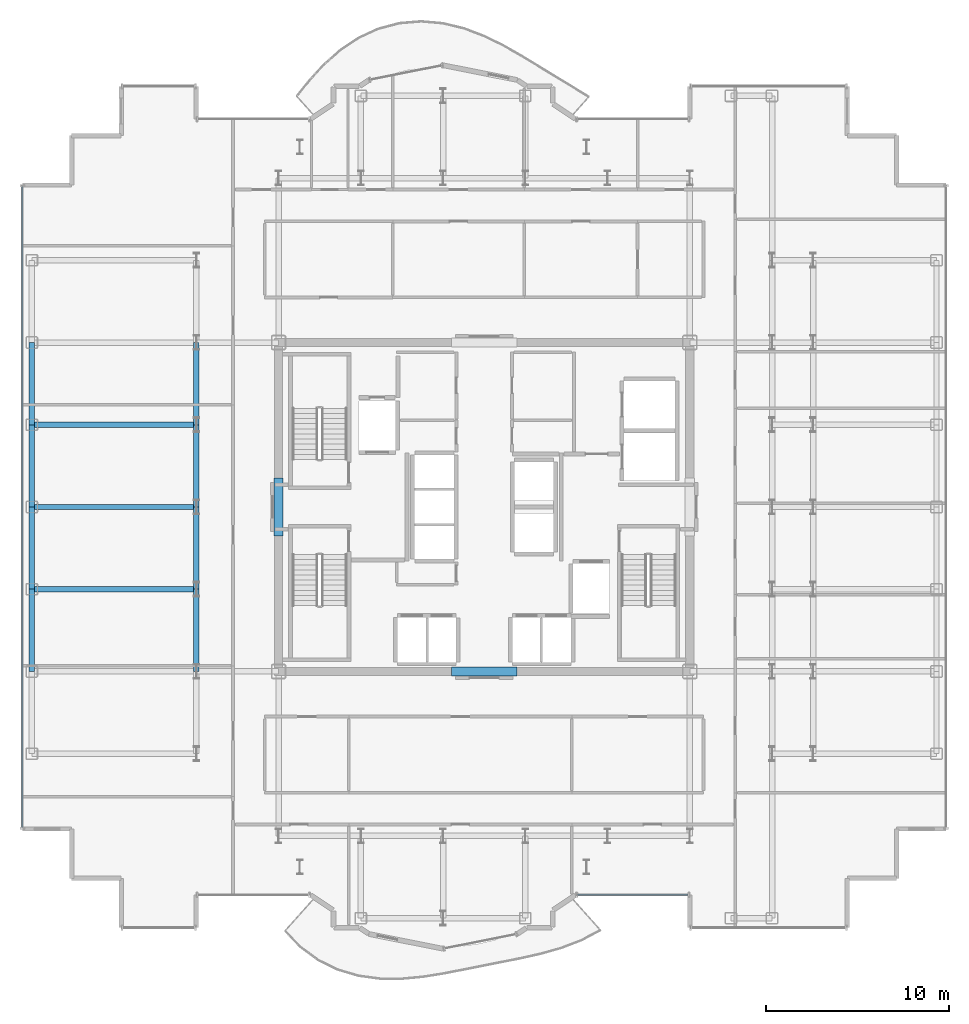
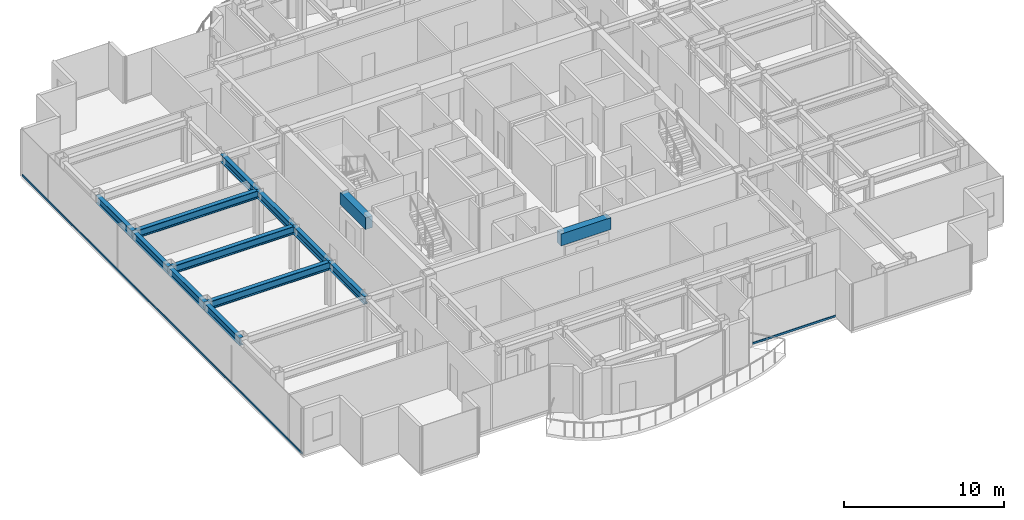
# One storey, part 4 of 21: 13 beams, 2 members, 2 elements without a shape of their own.
"""IFC4 building model written with IfcOpenShell, lengths in metres."""

from ifc_helpers import new_model, si_unit, direction, frame, origin, origin_2d, place, context, subcontext, project, spatial, rectangle, hollow_rectangle, i_section, extrude, source, transform, mapped, material, layer, layer_set, material_profile, profile_set, type_object, element, aggregate, save


model = new_model("IFC4")

# Units and contexts
model_context = context("Model", 3, precision=1e-05, world=origin(), true_north=direction((0.0, 1.0)))
body_context = subcontext(model_context, "Body", "Model", "MODEL_VIEW")
ifc_project = project(units=[si_unit("LENGTHUNIT", "METRE"), si_unit("AREAUNIT", "SQUARE_METRE"), si_unit("VOLUMEUNIT", "CUBIC_METRE"), si_unit("PLANEANGLEUNIT", "RADIAN"), si_unit("MASSUNIT", "GRAM", prefix="KILO")], contexts=[model_context])

# Site, building, storey
site_placement = place(None, origin())
site = spatial("IfcSite", under=ifc_project, at=site_placement, CompositionType="ELEMENT")
building_placement = place(site_placement, origin())
building = spatial("IfcBuilding", under=site, at=building_placement, Name="Nefas-Gora Pilgrimage Tower", CompositionType="ELEMENT")
storey_placement = place(building_placement, frame((0.0, 0.0, 248.39990234375)))
storey = spatial("IfcBuildingStorey", under=building, at=storey_placement, Name="L62", CompositionType="ELEMENT", Elevation=248.39990234375)

# Beams
ifc_material_1 = material(Name="Concrete C50/60", Category="concrete")
ifc_material_profile_1 = material_profile(ifc_material_1, rectangle(XDim=0.5, YDim=0.89990234375, at=origin_2d()), Name="RC 500x900")
ifc_profile_set_1 = profile_set([ifc_material_profile_1], Name="Concrete C50/60")
beam_type_1 = type_object("IfcBeamType", Name="BM-LIN-RC900", PredefinedType="LINTEL", material=ifc_profile_set_1)
shared_shape_1 = source(origin(), body_context, "Body", "SweptSolid", [
    extrude(rectangle(XDim=0.5, YDim=0.89990234375, at=origin_2d()), origin(), (0.0, 0.0, 1.0), 3.60009765625),
])
beam_1_placement = place(storey_placement, frame((-1.800048828125, -9.0, 3.10009765625), z_axis=(1.0, 0.0, 0.0), x_axis=(0.0, 1.0, 0.0)))
element("IfcBeam", 1, at=beam_1_placement, inside=storey, type_object=beam_type_1, Name="L62 Core Coupling Lintel Beam S", PredefinedType="LINTEL", context=body_context, shape_type="MappedRepresentation", body=[
    mapped(shared_shape_1, transform((0.0, 0.0, 0.0), x_axis=(1.0, 0.0, 0.0), y_axis=(0.0, 1.0, 0.0), z_axis=(0.0, 0.0, 1.0), scale=1.0)),
])
shared_shape_2 = source(origin(), body_context, "Body", "SweptSolid", [
    extrude(rectangle(XDim=0.5, YDim=0.89990234375, at=origin_2d()), origin(), (0.0, 0.0, 1.0), 3.2001953125),
])
beam_2_placement = place(storey_placement, frame((-11.25, -1.60009765625, 3.10009765625), z_axis=(0.0, 1.0, 0.0), x_axis=(-1.0, 0.0, 0.0)))
element("IfcBeam", 2, at=beam_2_placement, inside=storey, type_object=beam_type_1, Name="L62 Core Coupling Lintel Beam W", PredefinedType="LINTEL", context=body_context, shape_type="MappedRepresentation", body=[
    mapped(shared_shape_2, transform((0.0, 0.0, 0.0), x_axis=(1.0, 0.0, 0.0), y_axis=(0.0, 1.0, 0.0), z_axis=(0.0, 0.0, 1.0), scale=1.0)),
])
ifc_material_2 = material(Name="Steel S355", Category="steel")
ifc_material_profile_2 = material_profile(ifc_material_2, i_section(OverallWidth=0.300048828125, OverallDepth=0.60009765625, WebThickness=0.015380859375, FlangeThickness=0.030029296875, FilletRadius=0.027099609375, at=origin_2d()), Name="HEB 600")
ifc_profile_set_2 = profile_set([ifc_material_profile_2], Name="Steel S355")
beam_type_2 = type_object("IfcBeamType", Name="BM-SPN-HEB450", PredefinedType="SPANDREL", material=ifc_profile_set_2)
shared_shape_3 = source(origin(), body_context, "Body", "SweptSolid", [
    extrude(i_section(OverallWidth=0.300048828125, OverallDepth=0.60009765625, WebThickness=0.015380859375, FlangeThickness=0.030029296875, FilletRadius=0.027099609375, at=origin_2d()), origin(), (0.0, 0.0, 1.0), 4.5),
])
for number, where, z_axis, x_axis, name in (
    (3, (-24.75, -9.0, 3.25), (0.0, 1.0, 0.0), (-1.0, 0.0, 0.0), "L62 SP-03 beam"),
    (4, (-24.75, -4.5, 3.25), (0.0, 1.0, 0.0), (-1.0, 0.0, 0.0), "L62 SP-03 beam"),
    (5, (-24.75, 0.0, 3.25), (0.0, 1.0, 0.0), (-1.0, 0.0, 0.0), "L62 SP-03 beam"),
    (6, (-24.75, 4.5, 3.25), (0.0, 1.0, 0.0), (-1.0, 0.0, 0.0), "L62 SP-03 beam"),
):
    element("IfcBeam", number, at=place(storey_placement, frame(where, z_axis=z_axis, x_axis=x_axis)), inside=storey, type_object=beam_type_2, Name=name, PredefinedType="SPANDREL", context=body_context, shape_type="MappedRepresentation", body=[
        mapped(shared_shape_3, transform((0.0, 0.0, 0.0), x_axis=(1.0, 0.0, 0.0), y_axis=(0.0, 1.0, 0.0), z_axis=(0.0, 0.0, 1.0), scale=1.0)),
    ])
ifc_material_profile_3 = material_profile(ifc_material_2, i_section(OverallWidth=0.300048828125, OverallDepth=0.60009765625, WebThickness=0.015380859375, FlangeThickness=0.030029296875, FilletRadius=0.027099609375, at=origin_2d()), Name="HEB 600")
ifc_profile_set_3 = profile_set([ifc_material_profile_3], Name="Steel S355")
beam_type_3 = type_object("IfcBeamType", Name="BM-GIR-HEB600", PredefinedType="BEAM", material=ifc_profile_set_3)
shared_shape_4 = source(origin(), body_context, "Body", "SweptSolid", [
    extrude(i_section(OverallWidth=0.300048828125, OverallDepth=0.60009765625, WebThickness=0.015380859375, FlangeThickness=0.030029296875, FilletRadius=0.027099609375, at=origin_2d()), origin(), (0.0, 0.0, 1.0), 9.0),
])
for number, where, z_axis, x_axis, name in (
    (7, (-24.75, -4.5, 3.25), (1.0, 0.0, 0.0), (0.0, 1.0, 0.0), "L62 G-04 beam"),
    (8, (-24.75, 0.0, 3.25), (1.0, 0.0, 0.0), (0.0, 1.0, 0.0), "L62 G-04 beam"),
    (9, (-24.75, 4.5, 3.25), (1.0, 0.0, 0.0), (0.0, 1.0, 0.0), "L62 G-04 beam"),
):
    element("IfcBeam", number, at=place(storey_placement, frame(where, z_axis=z_axis, x_axis=x_axis)), inside=storey, type_object=beam_type_3, Name=name, PredefinedType="BEAM", context=body_context, shape_type="MappedRepresentation", body=[
        mapped(shared_shape_4, transform((0.0, 0.0, 0.0), x_axis=(1.0, 0.0, 0.0), y_axis=(0.0, 1.0, 0.0), z_axis=(0.0, 0.0, 1.0), scale=1.0)),
    ])
shared_shape_5 = source(origin(), body_context, "Body", "SweptSolid", [
    extrude(i_section(OverallWidth=0.300048828125, OverallDepth=0.60009765625, WebThickness=0.015380859375, FlangeThickness=0.030029296875, FilletRadius=0.027099609375, at=origin_2d()), origin(), (0.0, 0.0, 1.0), 4.5),
])
for number, where, z_axis, x_axis, name in (
    (10, (-15.75, -9.0, 3.25), (0.0, 1.0, 0.0), (-1.0, 0.0, 0.0), "L62 G-04 beam"),
    (11, (-15.75, -4.5, 3.25), (0.0, 1.0, 0.0), (-1.0, 0.0, 0.0), "L62 G-04 beam"),
    (12, (-15.75, 0.0, 3.25), (0.0, 1.0, 0.0), (-1.0, 0.0, 0.0), "L62 G-04 beam"),
    (13, (-15.75, 4.5, 3.25), (0.0, 1.0, 0.0), (-1.0, 0.0, 0.0), "L62 G-04 beam"),
):
    element("IfcBeam", number, at=place(storey_placement, frame(where, z_axis=z_axis, x_axis=x_axis)), inside=storey, type_object=beam_type_3, Name=name, PredefinedType="BEAM", context=body_context, shape_type="MappedRepresentation", body=[
        mapped(shared_shape_5, transform((0.0, 0.0, 0.0), x_axis=(1.0, 0.0, 0.0), y_axis=(0.0, 1.0, 0.0), z_axis=(0.0, 0.0, 1.0), scale=1.0)),
    ])

# Curtain wall, member
ifc_material_3 = material(Name="Dark ceramic-fritted solar-control aluminium-glass curtain wall", Category="aluminium")
ifc_layer_1 = layer(ifc_material_3, 0.219970703125)
ifc_layer_set_1 = layer_set([ifc_layer_1], Name="Dark ceramic-fritted solar-control aluminium-glass curtain wall")
curtain_wall_type_1 = type_object("IfcCurtainWallType", Name="CW-SYS-5", PredefinedType="NOTDEFINED", material=ifc_layer_set_1)
curtain_wall_1_placement = place(storey_placement, origin())
curtain_wall_1 = element("IfcCurtainWall", 14, at=curtain_wall_1_placement, inside=storey, type_object=curtain_wall_type_1, Name="L62 Unitised Curtain Wall CW5", PredefinedType="NOTDEFINED")
ifc_material_4 = material(Name="Anodised architectural aluminium", Category="aluminium")
ifc_material_profile_4 = material_profile(ifc_material_4, hollow_rectangle(XDim=0.080078125, YDim=0.159912109375, WallThickness=0.00439453125, InnerFilletRadius=0.00439453125, OuterFilletRadius=0.009033203125, at=origin_2d()), Name="ALU TRANSOM 80x160")
ifc_profile_set_4 = profile_set([ifc_material_profile_4], Name="Anodised architectural aluminium")
member_type_1 = type_object("IfcMemberType", Name="CWM-TRN-5", PredefinedType="USERDEFINED", material=ifc_profile_set_4)
shared_shape_6 = source(origin(), body_context, "Body", "SweptSolid", [
    extrude(hollow_rectangle(XDim=0.080078125, YDim=0.159912109375, WallThickness=0.00439453125, InnerFilletRadius=0.00439453125, OuterFilletRadius=0.009033203125, at=origin_2d()), origin(), (0.0, 0.0, 1.0), 6.052001953125),
])
member_1_placement = place(storey_placement, frame((5.10791015625, -21.219970703125, 0.050048828125), z_axis=(1.0, 0.0, 0.0), x_axis=(0.0, 1.0, 0.0)))
member_1 = element("IfcMember", 15, at=member_1_placement, type_object=member_type_1, Name="CW5 Spandrel Transom", ObjectType="TRANSOM", PredefinedType="USERDEFINED", context=body_context, shape_type="MappedRepresentation", body=[
    mapped(shared_shape_6, transform((0.0, 0.0, 0.0), x_axis=(1.0, 0.0, 0.0), y_axis=(0.0, 1.0, 0.0), z_axis=(0.0, 0.0, 1.0), scale=1.0)),
])
aggregate(curtain_wall_1, [member_1])

ifc_layer_2 = layer(ifc_material_3, 0.219970703125)
ifc_layer_set_2 = layer_set([ifc_layer_2], Name="Dark ceramic-fritted solar-control aluminium-glass curtain wall")
curtain_wall_type_2 = type_object("IfcCurtainWallType", Name="CW-SYS-3", PredefinedType="NOTDEFINED", material=ifc_layer_set_2)
curtain_wall_2_placement = place(storey_placement, origin())
curtain_wall_2 = element("IfcCurtainWall", 16, at=curtain_wall_2_placement, inside=storey, type_object=curtain_wall_type_2, Name="L62 Unitised Curtain Wall CW3", PredefinedType="NOTDEFINED")
ifc_material_profile_5 = material_profile(ifc_material_4, hollow_rectangle(XDim=0.080078125, YDim=0.159912109375, WallThickness=0.00439453125, InnerFilletRadius=0.00439453125, OuterFilletRadius=0.009033203125, at=origin_2d()), Name="ALU TRANSOM 80x160")
ifc_profile_set_5 = profile_set([ifc_material_profile_5], Name="Anodised architectural aluminium")
member_type_2 = type_object("IfcMemberType", Name="CWM-TRN-3", PredefinedType="USERDEFINED", material=ifc_profile_set_5)
shared_shape_7 = source(origin(), body_context, "Body", "SweptSolid", [
    extrude(hollow_rectangle(XDim=0.080078125, YDim=0.159912109375, WallThickness=0.00439453125, InnerFilletRadius=0.00439453125, OuterFilletRadius=0.009033203125, at=origin_2d()), origin(), (0.0, 0.0, 1.0), 35.06005859375),
])
member_2_placement = place(storey_placement, frame((-25.27001953125, 17.530029296875, 0.050048828125), z_axis=(0.0, -1.0, 0.0), x_axis=(1.0, 0.0, 0.0)))
member_2 = element("IfcMember", 17, at=member_2_placement, type_object=member_type_2, Name="CW3 Spandrel Transom", ObjectType="TRANSOM", PredefinedType="USERDEFINED", context=body_context, shape_type="MappedRepresentation", body=[
    mapped(shared_shape_7, transform((0.0, 0.0, 0.0), x_axis=(1.0, 0.0, 0.0), y_axis=(0.0, 1.0, 0.0), z_axis=(0.0, 0.0, 1.0), scale=1.0)),
])
aggregate(curtain_wall_2, [member_2])

save(model, "model.ifc")
